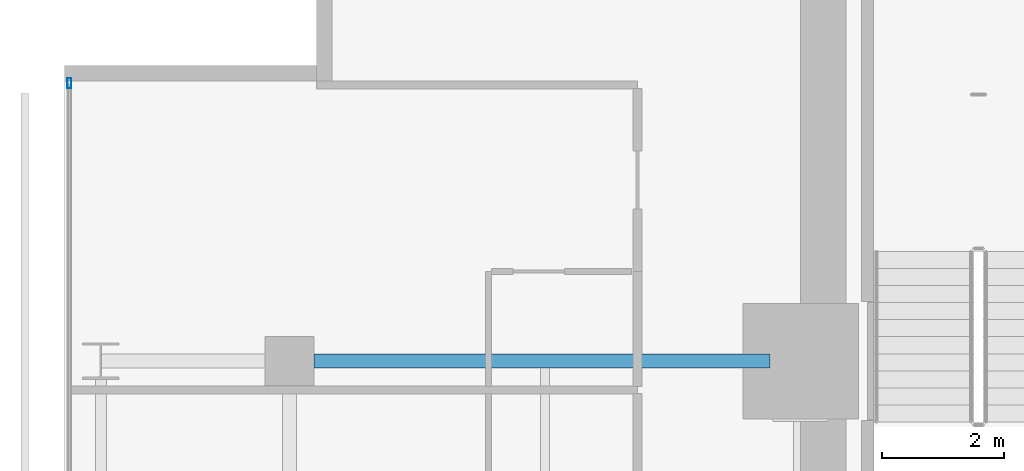
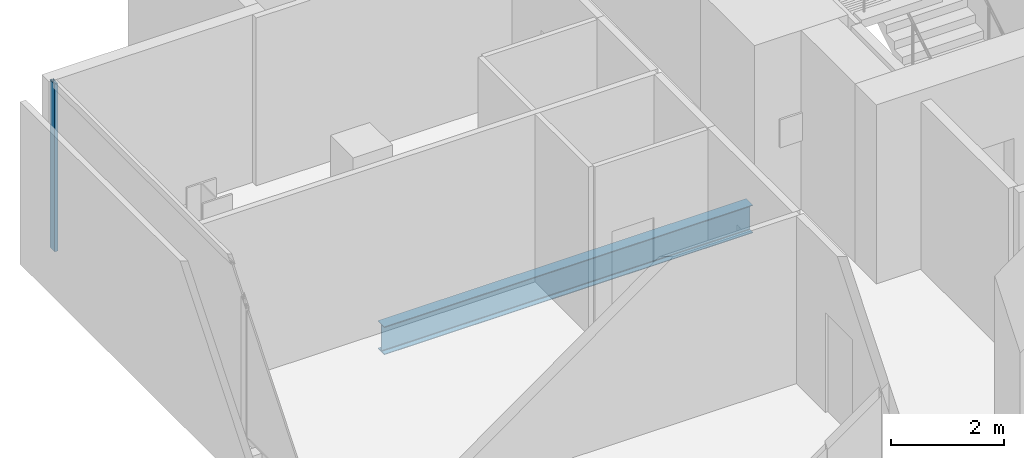
# One storey, part 20 of 34: 1 beam, 1 member, 1 element without a shape of its own.
"""IFC4 building model written with IfcOpenShell, lengths in metres."""

from ifc_helpers import new_model, si_unit, direction, frame, origin, origin_2d, place, context, subcontext, project, spatial, hollow_rectangle, i_section, extrude, material, layer, layer_set, material_profile, profile_set, type_object, element, aggregate, save


model = new_model("IFC4")

# Units and contexts
model_context = context("Model", 3, precision=1e-05, world=origin(), true_north=direction((0.0, 1.0)))
body_context = subcontext(model_context, "Body", "Model", "MODEL_VIEW")
ifc_project = project(units=[si_unit("LENGTHUNIT", "METRE"), si_unit("AREAUNIT", "SQUARE_METRE"), si_unit("VOLUMEUNIT", "CUBIC_METRE"), si_unit("PLANEANGLEUNIT", "RADIAN"), si_unit("MASSUNIT", "GRAM", prefix="KILO")], contexts=[model_context])

# Site, building, storey
site_placement = place(None, origin())
site = spatial("IfcSite", under=ifc_project, at=site_placement, CompositionType="ELEMENT")
building_placement = place(site_placement, origin())
building = spatial("IfcBuilding", under=site, at=building_placement, Name="Maruvema Waterfront Hotel and Observation Tower", CompositionType="ELEMENT")
storey_placement = place(building_placement, frame((0.0, 0.0, 173.60009765625)))
storey = spatial("IfcBuildingStorey", under=building, at=storey_placement, Name="L42", CompositionType="ELEMENT", Elevation=173.60009765625)

# Curtain wall, member
ifc_material_1 = material(Name="Anodised bronze aluminium and solar-control low-E IGU", Category="aluminium")
ifc_layer = layer(ifc_material_1, 0.159912109375, Name="Zone 2 Amber Inner Thermal Curtain Wall System CW-03")
ifc_layer_set = layer_set([ifc_layer], Name="Anodised bronze aluminium and solar-control low-E IGU")
curtain_wall_type = type_object("IfcCurtainWallType", Name="Zone 2 Amber Inner Thermal Curtain Wall System CW-03", PredefinedType="USERDEFINED", material=ifc_layer_set)
curtain_wall_placement = place(storey_placement, origin())
curtain_wall = element("IfcCurtainWall", 1, at=curtain_wall_placement, inside=storey, type_object=curtain_wall_type, Name="L42 Curtain Wall CW-L42-W", ObjectType="UNITISED CURTAIN WALL", PredefinedType="USERDEFINED")
ifc_material_2 = material(Name="Anodised architectural bronze aluminium", Category="aluminium")
ifc_material_profile_1 = material_profile(ifc_material_2, hollow_rectangle(XDim=0.06494140625, YDim=0.1650390625, WallThickness=0.00390625, at=origin_2d()), Name="ALU-M65x165")
ifc_profile_set_1 = profile_set([ifc_material_profile_1], Name="Anodised architectural bronze aluminium")
member_type = type_object("IfcMemberType", Name="Curtain Wall Primary Mullion ALU-M65x165", PredefinedType="MULLION", material=ifc_profile_set_1)
member_placement = place(storey_placement, frame((13.179931640625, 49.570068359375, 0.0), z_axis=(0.0, 0.0, 1.0), x_axis=(1.0, 0.0, 0.0)))
member = element("IfcMember", 2, at=member_placement, type_object=member_type, Name="CW-03 mullion 1", PredefinedType="MULLION", context=body_context, shape_type="SweptSolid", body=[
    extrude(hollow_rectangle(XDim=0.06494140625, YDim=0.1650390625, WallThickness=0.00390625, at=origin_2d()), origin(), (0.0, 0.0, 1.0), 3.60986328125),
])
aggregate(curtain_wall, [member])

# Beam
ifc_material_3 = material(Name="Steel ASTM A572 Grade 50", Category="steel")
ifc_material_profile_2 = material_profile(ifc_material_3, i_section(OverallWidth=0.22802734375, OverallDepth=0.60302734375, WebThickness=0.010498046875, FlangeThickness=0.014892578125, FilletRadius=0.01806640625, at=origin_2d()), Name="W610x101.0")
ifc_profile_set_2 = profile_set([ifc_material_profile_2], Name="Steel ASTM A572 Grade 50")
beam_type = type_object("IfcBeamType", Name="Primary Floor Girder W610x101.0", PredefinedType="BEAM", material=ifc_profile_set_2)
beam_placement = place(storey_placement, frame((17.199951171875, 45.0, -0.54150390625), z_axis=(1.0, 0.0, 0.0), x_axis=(0.0, 1.0, 0.0)))
element("IfcBeam", 3, at=beam_placement, inside=storey, type_object=beam_type, Name="L42 Floor Girder EW-31", PredefinedType="BEAM", context=body_context, shape_type="SweptSolid", body=[
    extrude(i_section(OverallWidth=0.22802734375, OverallDepth=0.60302734375, WebThickness=0.010498046875, FlangeThickness=0.014892578125, FilletRadius=0.01806640625, at=origin_2d()), origin(), (0.0, 0.0, 1.0), 7.5),
])

save(model, "model.ifc")
